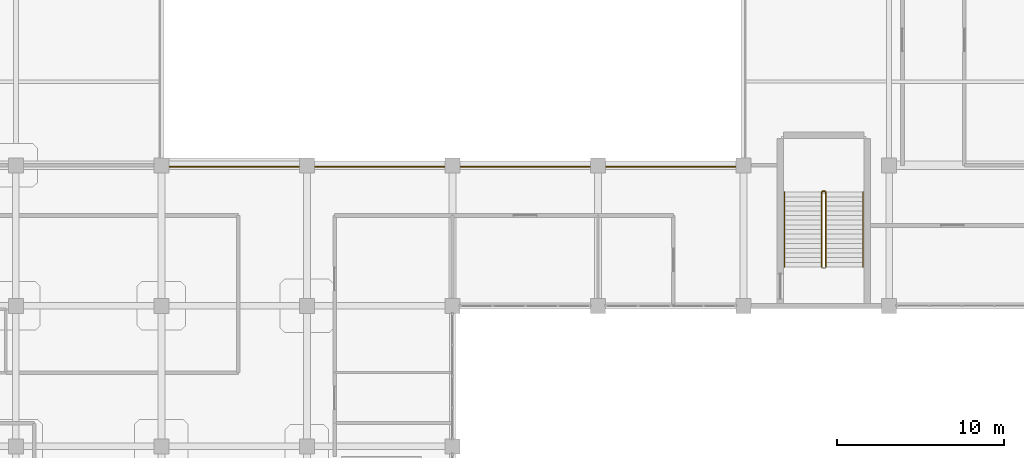
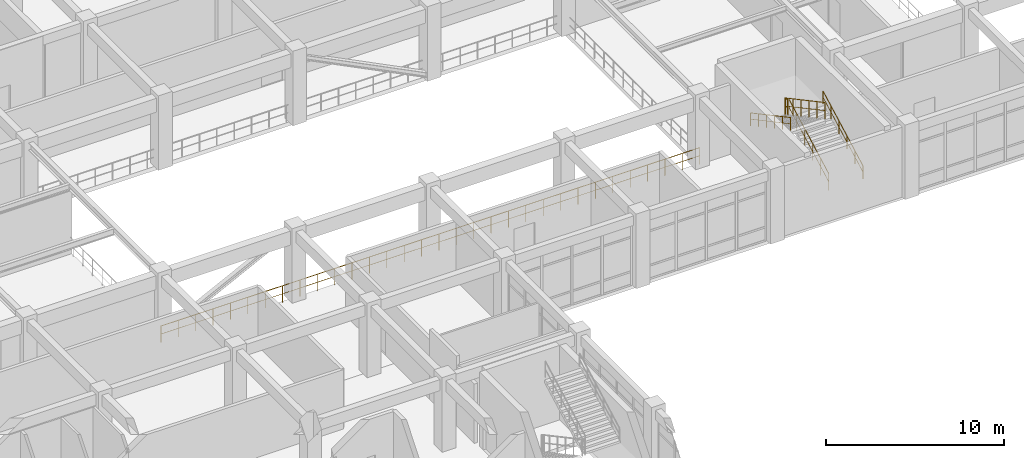
# One storey, part 114 of 120: 6 railings.
"""IFC4 building model written with IfcOpenShell, lengths in metres."""

from ifc_helpers import new_model, si_unit, derived_unit, direction, frame, origin, origin_2d, place, context, subcontext, project, spatial, circle, extrude, material, type_object, element, save


model = new_model("IFC4")

# Units and contexts
model_context = context("Model", 3, precision=1e-05, world=origin(), true_north=direction((0.0, 1.0)))
body_context = subcontext(model_context, "Body", "Model", "MODEL_VIEW")
ifc_project = project(units=[si_unit("LENGTHUNIT", "METRE"), si_unit("AREAUNIT", "SQUARE_METRE"), si_unit("VOLUMEUNIT", "CUBIC_METRE"), si_unit("PLANEANGLEUNIT", "RADIAN"), si_unit("MASSUNIT", "GRAM", prefix="KILO"), derived_unit("THERMALTRANSMITTANCEUNIT", [(si_unit("MASSUNIT", "GRAM", prefix="KILO"), 1), (si_unit("TIMEUNIT", "SECOND"), -3), (si_unit("THERMODYNAMICTEMPERATUREUNIT", "KELVIN"), -1)])], contexts=[model_context])

# Site, building, storey
site_placement = place(None, origin())
site = spatial("IfcSite", under=ifc_project, at=site_placement, CompositionType="ELEMENT")
building_placement = place(site_placement, origin())
building = spatial("IfcBuilding", under=site, at=building_placement, Name="Qinzheling Arcade Emporium", CompositionType="ELEMENT")
storey_placement = place(building_placement, frame((0.0, 0.0, 11.39990234375)))
storey = spatial("IfcBuildingStorey", under=building, at=storey_placement, Name="L03", CompositionType="ELEMENT", Elevation=11.39990234375)

# Railings
ifc_material_1 = material(Name="Galvanised powder-coated tubular steel", Category="steel")
railing_type_1 = type_object("IfcRailingType", Name="Painted Steel Stairwell Guard Railing 1150", PredefinedType="GUARDRAIL", material=ifc_material_1)
railing_1_placement = place(storey_placement, frame((91.919921875, 44.320068359375, 0.150146484375)))
element("IfcRailing", 1, at=railing_1_placement, inside=storey, type_object=railing_type_1, Name="L03 ST04 stair guard 1", PredefinedType="GUARDRAIL", context=body_context, shape_type="SweptSolid", body=[
    extrude(circle(Radius=0.02392578125, at=origin_2d()), frame((0.0, 0.0, 1.1259765625), z_axis=(0.0, 0.881487111273, 0.472208081951), x_axis=(-1.0, 0.0, 0.0)), (0.0, 0.0, 1.0), 5.082275390625),
    extrude(circle(Radius=0.01611328125, at=origin_2d()), frame((0.0, 0.0, 0.574951171875), z_axis=(0.0, 0.881487111273, 0.472208081951), x_axis=(-1.0, 0.0, 0.0)), (0.0, 0.0, 1.0), 5.082275390625),
    extrude(circle(Radius=0.02099609375, at=origin_2d()), origin(), (0.0, 0.0, 1.0), 1.101806640625),
    extrude(circle(Radius=0.02099609375, at=origin_2d()), frame((0.0, 0.89599609375, 0.47998046875)), (0.0, 0.0, 1.0), 1.101806640625),
    extrude(circle(Radius=0.02099609375, at=origin_2d()), frame((0.0, 1.7919921875, 0.9599609375)), (0.0, 0.0, 1.0), 1.101806640625),
    extrude(circle(Radius=0.02099609375, at=origin_2d()), frame((0.0, 2.68798828125, 1.43994140625)), (0.0, 0.0, 1.0), 1.101806640625),
    extrude(circle(Radius=0.02099609375, at=origin_2d()), frame((0.0, 3.583984375, 1.919921875)), (0.0, 0.0, 1.0), 1.101806640625),
    extrude(circle(Radius=0.02099609375, at=origin_2d()), frame((0.0, 4.47998046875, 2.39990234375)), (0.0, 0.0, 1.0), 1.101806640625),
])
railing_2_placement = place(storey_placement, frame((91.8701171875, 48.85009765625, 2.550048828125)))
element("IfcRailing", 2, at=railing_2_placement, inside=storey, type_object=railing_type_1, Name="L03 ST04 stair guard 2", PredefinedType="GUARDRAIL", context=body_context, shape_type="SweptSolid", body=[
    extrude(circle(Radius=0.02392578125, at=origin_2d()), frame((0.0, 0.0, 1.1259765625), z_axis=(-1.0, 0.0, 0.0), x_axis=(0.0, -1.0, 0.0)), (0.0, 0.0, 1.0), 0.150146484375),
    extrude(circle(Radius=0.01611328125, at=origin_2d()), frame((0.0, 0.0, 0.574951171875), z_axis=(-1.0, 0.0, 0.0), x_axis=(0.0, -1.0, 0.0)), (0.0, 0.0, 1.0), 0.150146484375),
    extrude(circle(Radius=0.02099609375, at=origin_2d()), origin(), (0.0, 0.0, 1.0), 1.101806640625),
    extrude(circle(Radius=0.02099609375, at=origin_2d()), frame((-0.150146484375, 0.0, 0.0)), (0.0, 0.0, 1.0), 1.101806640625),
])
railing_3_placement = place(storey_placement, frame((91.669921875, 48.800048828125, 2.7001953125)))
element("IfcRailing", 3, at=railing_3_placement, inside=storey, type_object=railing_type_1, Name="L03 ST04 stair guard 3", PredefinedType="GUARDRAIL", context=body_context, shape_type="SweptSolid", body=[
    extrude(circle(Radius=0.02392578125, at=origin_2d()), frame((0.0, 0.0, 1.1259765625), z_axis=(0.0, -0.881487111273, 0.472208081951), x_axis=(1.0, 0.0, 0.0)), (0.0, 0.0, 1.0), 5.082275390625),
    extrude(circle(Radius=0.01611328125, at=origin_2d()), frame((0.0, 0.0, 0.574951171875), z_axis=(0.0, -0.881487111273, 0.472208081951), x_axis=(1.0, 0.0, 0.0)), (0.0, 0.0, 1.0), 5.082275390625),
    extrude(circle(Radius=0.02099609375, at=origin_2d()), origin(), (0.0, 0.0, 1.0), 1.101806640625),
    extrude(circle(Radius=0.02099609375, at=origin_2d()), frame((0.0, -0.89599609375, 0.47998046875)), (0.0, 0.0, 1.0), 1.101806640625),
    extrude(circle(Radius=0.02099609375, at=origin_2d()), frame((0.0, -1.7919921875, 0.9599609375)), (0.0, 0.0, 1.0), 1.101806640625),
    extrude(circle(Radius=0.02099609375, at=origin_2d()), frame((0.0, -2.68798828125, 1.43994140625)), (0.0, 0.0, 1.0), 1.101806640625),
    extrude(circle(Radius=0.02099609375, at=origin_2d()), frame((0.0, -3.583984375, 1.919921875)), (0.0, 0.0, 1.0), 1.101806640625),
    extrude(circle(Radius=0.02099609375, at=origin_2d()), frame((0.0, -4.47998046875, 2.39990234375)), (0.0, 0.0, 1.0), 1.101806640625),
])
railing_4_placement = place(storey_placement, frame((52.169921875, 50.320068359375, 0.0)))
element("IfcRailing", 4, at=railing_4_placement, inside=storey, type_object=railing_type_1, Name="Atrium Void Guard L03 S", PredefinedType="GUARDRAIL", context=body_context, shape_type="SweptSolid", body=[
    extrude(circle(Radius=0.02392578125, at=origin_2d()), frame((0.0, 0.0, 1.1259765625), z_axis=(1.0, 0.0, 0.0), x_axis=(0.0, 1.0, 0.0)), (0.0, 0.0, 1.0), 34.860107421875),
    extrude(circle(Radius=0.01611328125, at=origin_2d()), frame((0.0, 0.0, 0.574951171875), z_axis=(1.0, 0.0, 0.0), x_axis=(0.0, 1.0, 0.0)), (0.0, 0.0, 1.0), 34.860107421875),
    extrude(circle(Radius=0.02099609375, at=origin_2d()), origin(), (0.0, 0.0, 1.0), 1.101806640625),
    extrude(circle(Radius=0.02099609375, at=origin_2d()), frame((1.12451171875, 0.0, 0.0)), (0.0, 0.0, 1.0), 1.101806640625),
    extrude(circle(Radius=0.02099609375, at=origin_2d()), frame((2.2490234375, 0.0, 0.0)), (0.0, 0.0, 1.0), 1.101806640625),
    extrude(circle(Radius=0.02099609375, at=origin_2d()), frame((3.37353515625, 0.0, 0.0)), (0.0, 0.0, 1.0), 1.101806640625),
    extrude(circle(Radius=0.02099609375, at=origin_2d()), frame((4.498046875, 0.0, 0.0)), (0.0, 0.0, 1.0), 1.101806640625),
    extrude(circle(Radius=0.02099609375, at=origin_2d()), frame((5.62255859375, 0.0, 0.0)), (0.0, 0.0, 1.0), 1.101806640625),
    extrude(circle(Radius=0.02099609375, at=origin_2d()), frame((6.7470703125, 0.0, 0.0)), (0.0, 0.0, 1.0), 1.101806640625),
    extrude(circle(Radius=0.02099609375, at=origin_2d()), frame((7.87158203125, 0.0, 0.0)), (0.0, 0.0, 1.0), 1.101806640625),
    extrude(circle(Radius=0.02099609375, at=origin_2d()), frame((8.99609375, 0.0, 0.0)), (0.0, 0.0, 1.0), 1.101806640625),
    extrude(circle(Radius=0.02099609375, at=origin_2d()), frame((10.12060546875, 0.0, 0.0)), (0.0, 0.0, 1.0), 1.101806640625),
    extrude(circle(Radius=0.02099609375, at=origin_2d()), frame((11.2451171875, 0.0, 0.0)), (0.0, 0.0, 1.0), 1.101806640625),
    extrude(circle(Radius=0.02099609375, at=origin_2d()), frame((12.36962890625, 0.0, 0.0)), (0.0, 0.0, 1.0), 1.101806640625),
    extrude(circle(Radius=0.02099609375, at=origin_2d()), frame((13.494140625, 0.0, 0.0)), (0.0, 0.0, 1.0), 1.101806640625),
    extrude(circle(Radius=0.02099609375, at=origin_2d()), frame((14.61865234375, 0.0, 0.0)), (0.0, 0.0, 1.0), 1.101806640625),
    extrude(circle(Radius=0.02099609375, at=origin_2d()), frame((15.7431640625, 0.0, 0.0)), (0.0, 0.0, 1.0), 1.101806640625),
    extrude(circle(Radius=0.02099609375, at=origin_2d()), frame((16.86767578125, 0.0, 0.0)), (0.0, 0.0, 1.0), 1.101806640625),
    extrude(circle(Radius=0.02099609375, at=origin_2d()), frame((17.992431640625, 0.0, 0.0)), (0.0, 0.0, 1.0), 1.101806640625),
    extrude(circle(Radius=0.02099609375, at=origin_2d()), frame((19.116943359375, 0.0, 0.0)), (0.0, 0.0, 1.0), 1.101806640625),
    extrude(circle(Radius=0.02099609375, at=origin_2d()), frame((20.241455078125, 0.0, 0.0)), (0.0, 0.0, 1.0), 1.101806640625),
    extrude(circle(Radius=0.02099609375, at=origin_2d()), frame((21.365966796875, 0.0, 0.0)), (0.0, 0.0, 1.0), 1.101806640625),
    extrude(circle(Radius=0.02099609375, at=origin_2d()), frame((22.490478515625, 0.0, 0.0)), (0.0, 0.0, 1.0), 1.101806640625),
    extrude(circle(Radius=0.02099609375, at=origin_2d()), frame((23.614990234375, 0.0, 0.0)), (0.0, 0.0, 1.0), 1.101806640625),
    extrude(circle(Radius=0.02099609375, at=origin_2d()), frame((24.739501953125, 0.0, 0.0)), (0.0, 0.0, 1.0), 1.101806640625),
    extrude(circle(Radius=0.02099609375, at=origin_2d()), frame((25.864013671875, 0.0, 0.0)), (0.0, 0.0, 1.0), 1.101806640625),
    extrude(circle(Radius=0.02099609375, at=origin_2d()), frame((26.988525390625, 0.0, 0.0)), (0.0, 0.0, 1.0), 1.101806640625),
    extrude(circle(Radius=0.02099609375, at=origin_2d()), frame((28.113037109375, 0.0, 0.0)), (0.0, 0.0, 1.0), 1.101806640625),
    extrude(circle(Radius=0.02099609375, at=origin_2d()), frame((29.237548828125, 0.0, 0.0)), (0.0, 0.0, 1.0), 1.101806640625),
    extrude(circle(Radius=0.02099609375, at=origin_2d()), frame((30.362060546875, 0.0, 0.0)), (0.0, 0.0, 1.0), 1.101806640625),
    extrude(circle(Radius=0.02099609375, at=origin_2d()), frame((31.486572265625, 0.0, 0.0)), (0.0, 0.0, 1.0), 1.101806640625),
    extrude(circle(Radius=0.02099609375, at=origin_2d()), frame((32.611083984375, 0.0, 0.0)), (0.0, 0.0, 1.0), 1.101806640625),
    extrude(circle(Radius=0.02099609375, at=origin_2d()), frame((33.735595703125, 0.0, 0.0)), (0.0, 0.0, 1.0), 1.101806640625),
    extrude(circle(Radius=0.02099609375, at=origin_2d()), frame((34.860107421875, 0.0, 0.0)), (0.0, 0.0, 1.0), 1.101806640625),
])
ifc_material_2 = material(Name="Brushed stainless steel 304", Category="steel")
railing_type_2 = type_object("IfcRailingType", Name="Stainless Steel Wall Handrail 900", PredefinedType="HANDRAIL", material=ifc_material_2)
railing_5_placement = place(storey_placement, frame((94.139892578125, 44.320068359375, 0.150146484375)))
element("IfcRailing", 5, at=railing_5_placement, inside=storey, type_object=railing_type_2, Name="L03 ST04 stair handrail 1", PredefinedType="HANDRAIL", context=body_context, shape_type="SweptSolid", body=[
    extrude(circle(Radius=0.02392578125, at=origin_2d()), frame((0.0, 0.0, 0.8759765625), z_axis=(0.0, 0.881487111273, 0.472208081951), x_axis=(-1.0, 0.0, 0.0)), (0.0, 0.0, 1.0), 5.082275390625),
    extrude(circle(Radius=0.01611328125, at=origin_2d()), frame((0.0, 0.0, 0.449951171875), z_axis=(0.0, 0.881487111273, 0.472208081951), x_axis=(-1.0, 0.0, 0.0)), (0.0, 0.0, 1.0), 5.082275390625),
    extrude(circle(Radius=0.02099609375, at=origin_2d()), origin(), (0.0, 0.0, 1.0), 0.851806640625),
    extrude(circle(Radius=0.02099609375, at=origin_2d()), frame((0.0, 0.89599609375, 0.47998046875)), (0.0, 0.0, 1.0), 0.851806640625),
    extrude(circle(Radius=0.02099609375, at=origin_2d()), frame((0.0, 1.7919921875, 0.9599609375)), (0.0, 0.0, 1.0), 0.851806640625),
    extrude(circle(Radius=0.02099609375, at=origin_2d()), frame((0.0, 2.68798828125, 1.43994140625)), (0.0, 0.0, 1.0), 0.851806640625),
    extrude(circle(Radius=0.02099609375, at=origin_2d()), frame((0.0, 3.583984375, 1.919921875)), (0.0, 0.0, 1.0), 0.851806640625),
    extrude(circle(Radius=0.02099609375, at=origin_2d()), frame((0.0, 4.47998046875, 2.39990234375)), (0.0, 0.0, 1.0), 0.851806640625),
])
railing_6_placement = place(storey_placement, frame((89.449951171875, 48.800048828125, 2.7001953125)))
element("IfcRailing", 6, at=railing_6_placement, inside=storey, type_object=railing_type_2, Name="L03 ST04 stair handrail 2", PredefinedType="HANDRAIL", context=body_context, shape_type="SweptSolid", body=[
    extrude(circle(Radius=0.02392578125, at=origin_2d()), frame((0.0, 0.0, 0.8759765625), z_axis=(0.0, -0.881487111273, 0.472208081951), x_axis=(1.0, 0.0, 0.0)), (0.0, 0.0, 1.0), 5.082275390625),
    extrude(circle(Radius=0.01611328125, at=origin_2d()), frame((0.0, 0.0, 0.449951171875), z_axis=(0.0, -0.881487111273, 0.472208081951), x_axis=(1.0, 0.0, 0.0)), (0.0, 0.0, 1.0), 5.082275390625),
    extrude(circle(Radius=0.02099609375, at=origin_2d()), origin(), (0.0, 0.0, 1.0), 0.851806640625),
    extrude(circle(Radius=0.02099609375, at=origin_2d()), frame((0.0, -0.89599609375, 0.47998046875)), (0.0, 0.0, 1.0), 0.851806640625),
    extrude(circle(Radius=0.02099609375, at=origin_2d()), frame((0.0, -1.7919921875, 0.9599609375)), (0.0, 0.0, 1.0), 0.851806640625),
    extrude(circle(Radius=0.02099609375, at=origin_2d()), frame((0.0, -2.68798828125, 1.43994140625)), (0.0, 0.0, 1.0), 0.851806640625),
    extrude(circle(Radius=0.02099609375, at=origin_2d()), frame((0.0, -3.583984375, 1.919921875)), (0.0, 0.0, 1.0), 0.851806640625),
    extrude(circle(Radius=0.02099609375, at=origin_2d()), frame((0.0, -4.47998046875, 2.39990234375)), (0.0, 0.0, 1.0), 0.851806640625),
])

save(model, "model.ifc")
